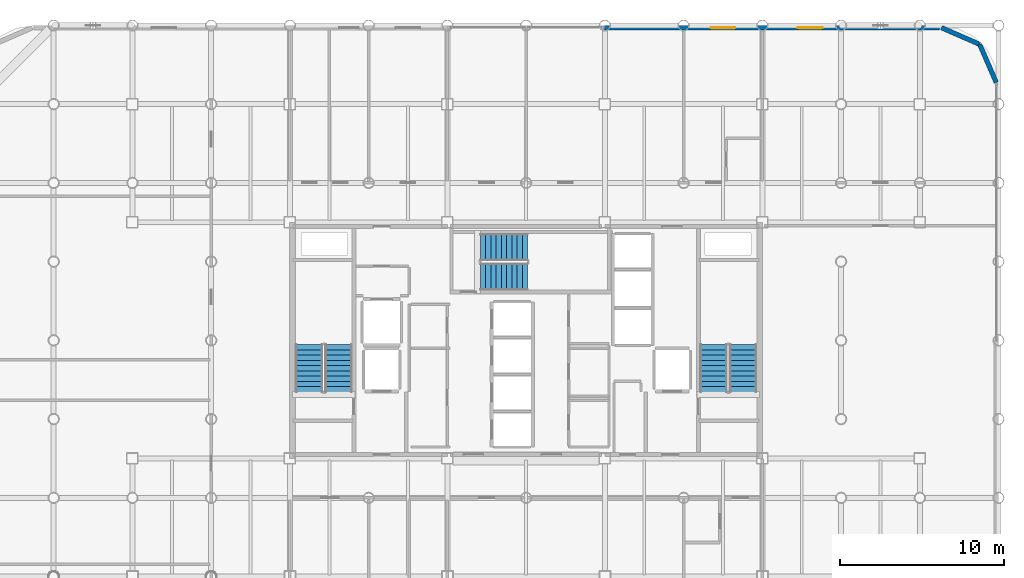
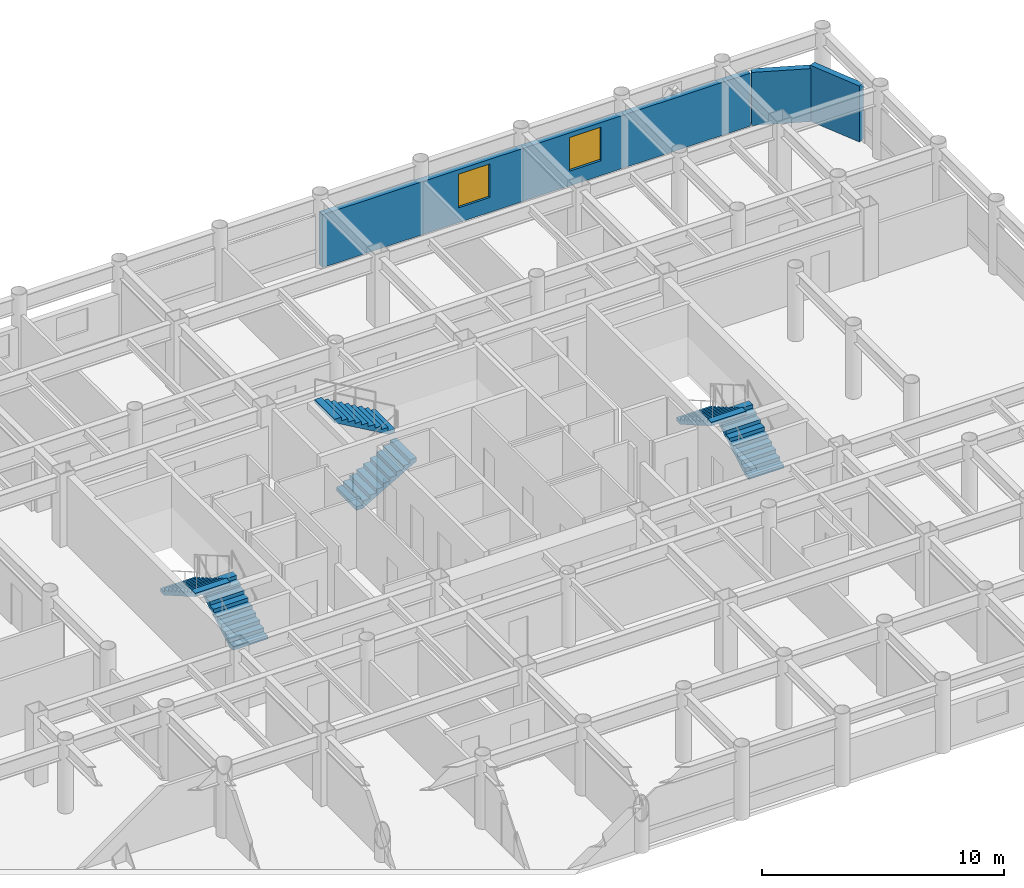
# One storey, part 19 of 20: 6 stair flights, 3 walls, 2 windows, 2 openings, 3 elements without a shape of their own.
"""IFC4 building model written with IfcOpenShell, lengths in metres."""

from ifc_helpers import new_model, si_unit, direction, frame, frame_2d, origin, place, context, subcontext, project, spatial, polyline, rectangle, outline, extrude, material, layer, layer_set, type_object, element, fill, aggregate, save


model = new_model("IFC4")

# Units and contexts
model_context = context("Model", 3, precision=1e-05, world=origin(), true_north=direction((0.0, 1.0)))
body_context = subcontext(model_context, "Body", "Model", "MODEL_VIEW")
ifc_project = project(units=[si_unit("LENGTHUNIT", "METRE"), si_unit("AREAUNIT", "SQUARE_METRE"), si_unit("VOLUMEUNIT", "CUBIC_METRE"), si_unit("PLANEANGLEUNIT", "RADIAN"), si_unit("MASSUNIT", "GRAM", prefix="KILO")], contexts=[model_context])

# Site, building, storey
site_placement = place(None, origin())
site = spatial("IfcSite", under=ifc_project, at=site_placement, CompositionType="ELEMENT")
building_placement = place(site_placement, origin())
building = spatial("IfcBuilding", under=site, at=building_placement, Name="Kallvorn Hotel Tower", CompositionType="ELEMENT")
storey_placement = place(building_placement, frame((0.0, 0.0, 176.60009765625)))
storey = spatial("IfcBuildingStorey", under=building, at=storey_placement, Name="L44", CompositionType="ELEMENT", Elevation=176.60009765625)

# Walls
ifc_material_1 = material(Name="Precast basalt-clad insulated concrete wall C40/50", Category="masonry")
ifc_layer = layer(ifc_material_1, 0.280029296875)
ifc_layer_set = layer_set([ifc_layer], Name="WL_EXT_LOGGIA_280")
wall_type = type_object("IfcWallType", Name="WL_EXT_LOGGIA_280", PredefinedType="SOLIDWALL", material=ifc_layer_set)
wall_1_placement = place(storey_placement, frame((28.657958984375, 15.720703125, 0.0), z_axis=(0.0, 0.0, 1.0), x_axis=(-0.398792985289, 0.917040977756, 0.0)))
element("IfcWall", 1, at=wall_1_placement, inside=storey, type_object=wall_type, Name="L44 Rounded Corner Exterior Wall NE1", PredefinedType="SOLIDWALL", context=body_context, shape_type="SweptSolid", body=[
    extrude(rectangle(XDim=2.536376953125, YDim=0.280029296875, at=frame_2d((1.26806640625, 0.0))), origin(), (0.0, 0.0, 1.0), 2.829833984375),
])
wall_2_placement = place(storey_placement, frame((27.646484375, 18.046630859375, 0.0), z_axis=(0.0, 0.0, 1.0), x_axis=(-0.917060872934, 0.398747232384, 0.0)))
element("IfcWall", 2, at=wall_2_placement, inside=storey, type_object=wall_type, Name="L44 Rounded Corner Exterior Wall NE2", PredefinedType="SOLIDWALL", context=body_context, shape_type="SweptSolid", body=[
    extrude(rectangle(XDim=2.5361328125, YDim=0.280029296875, at=frame_2d((1.26806640625, 0.0))), origin(), (0.0, 0.0, 1.0), 2.679931640625),
])

# Wall, openings, windows
wall_3_placement = place(storey_placement, frame((4.75, 19.06005859375, 0.0), z_axis=(0.0, 0.0, 1.0), x_axis=(1.0, 0.0, 0.0)))
wall_3 = element("IfcWall", 3, at=wall_3_placement, inside=storey, type_object=wall_type, Name="L44 Exterior Envelope Wall EW-L44-NE", PredefinedType="SOLIDWALL", context=body_context, shape_type="SweptSolid", body=[
    extrude(rectangle(XDim=20.449951171875, YDim=0.280029296875, at=frame_2d((10.22509765625, 0.0))), origin(), (0.0, 0.0, 1.0), 2.679931640625),
])
opening_1_placement = place(wall_3_placement, frame((11.81689453125, 0.0, 0.75)))
opening_1 = element("IfcOpeningElement", 4, at=opening_1_placement, cuts=wall_3, Name="Opening W05", PredefinedType="OPENING", context=body_context, shape_type="SweptSolid", body=[
    extrude(rectangle(XDim=1.5, YDim=1.699951171875, at=frame_2d((0.75, 0.85009765625))), frame((0.0, 0.155029296875, 0.0), z_axis=(0.0, -1.0, 0.0), x_axis=(1.0, 0.0, 0.0)), (0.0, 0.0, 1.0), 0.31005859375),
])
opening_2_placement = place(wall_3_placement, frame((6.5, 0.0, 0.75)))
opening_2 = element("IfcOpeningElement", 5, at=opening_2_placement, cuts=wall_3, Name="Opening W05", PredefinedType="OPENING", context=body_context, shape_type="SweptSolid", body=[
    extrude(rectangle(XDim=1.5, YDim=1.699951171875, at=frame_2d((0.75, 0.85009765625))), frame((0.0, 0.155029296875, 0.0), z_axis=(0.0, -1.0, 0.0), x_axis=(1.0, 0.0, 0.0)), (0.0, 0.0, 1.0), 0.31005859375),
])
ifc_material_2 = material(Name="Double-glazed low-e solar-control dark glass", Category="glass")
window_type = type_object("IfcWindowType", Name="WN_HTL_1500x1700", PartitioningType="SINGLE_PANEL", PredefinedType="WINDOW", material=ifc_material_2)
window_1_placement = place(opening_1_placement, origin())
window_1 = element("IfcWindow", 6, at=window_1_placement, inside=storey, type_object=window_type, Name="L44 Guestroom Exterior Window 04", OverallHeight=1.699951171875, OverallWidth=1.5, PartitioningType="SINGLE_PANEL", PredefinedType="WINDOW", context=body_context, shape_type="SweptSolid", body=[
    extrude(rectangle(XDim=1.5, YDim=1.699951171875, at=frame_2d((0.75, 0.85009765625))), frame((0.0, 0.030029296875, 0.0), z_axis=(0.0, -1.0, 0.0), x_axis=(1.0, 0.0, 0.0)), (0.0, 0.0, 1.0), 0.06005859375),
])
fill(opening_1, window_1)
window_2_placement = place(opening_2_placement, origin())
window_2 = element("IfcWindow", 7, at=window_2_placement, inside=storey, type_object=window_type, Name="L44 Guestroom Exterior Window 11", OverallHeight=1.699951171875, OverallWidth=1.5, PartitioningType="SINGLE_PANEL", PredefinedType="WINDOW", context=body_context, shape_type="SweptSolid", body=[
    extrude(rectangle(XDim=1.5, YDim=1.699951171875, at=frame_2d((0.75, 0.85009765625))), frame((0.0, 0.030029296875, 0.0), z_axis=(0.0, -1.0, 0.0), x_axis=(1.0, 0.0, 0.0)), (0.0, 0.0, 1.0), 0.06005859375),
])
fill(opening_2, window_2)

# Stair, stair flights
ifc_material_3 = material(Name="Precast concrete C40/50", Category="concrete")
stair_type = type_object("IfcStairType", Name="STR_CORE_DOGLEG", PredefinedType="HALF_TURN_STAIR", material=ifc_material_3)
stair_1_placement = place(storey_placement, origin())
stair_1 = element("IfcStair", 8, at=stair_1_placement, inside=storey, type_object=stair_type, Name="L44 Exit stair ST1", PredefinedType="HALF_TURN_STAIR")
ifc_material_4 = material(Name="Precast concrete C40/50", Category="concrete")
stair_flight_type = type_object("IfcStairFlightType", Name="FLT_CORE_1660", PredefinedType="STRAIGHT", material=ifc_material_4)
stair_flight_1_placement = place(storey_placement, frame((-11.429931640625, -3.139892578125, 0.0), z_axis=(0.0, 0.0, 1.0), x_axis=(0.0, 1.0, 0.0)))
stair_flight_1 = element("IfcStairFlight", 9, at=stair_flight_1_placement, type_object=stair_flight_type, Name="ST1 flight 1", NumberOfRisers=10, NumberOfTreads=9, PredefinedType="STRAIGHT", RiserHeight=0.185, TreadLength=0.32, context=body_context, shape_type="SweptSolid", body=[
    extrude(outline(polyline([(0.0, 0.0), (0.0, 0.18505859375), (0.320068359375, 0.18505859375), (0.320068359375, 0.3701171875), (0.639892578125, 0.3701171875), (0.639892578125, 0.554931640625), (0.9599609375, 0.554931640625), (0.9599609375, 0.739990234375), (1.280029296875, 0.739990234375), (1.280029296875, 0.925048828125), (1.60009765625, 0.925048828125), (1.60009765625, 1.110107421875), (1.919921875, 1.110107421875), (1.919921875, 1.294921875), (2.239990234375, 1.294921875), (2.239990234375, 1.47998046875), (2.56005859375, 1.47998046875), (2.56005859375, 1.6650390625), (2.8798828125, 1.6650390625), (2.8798828125, 1.85009765625), (2.8798828125, 1.491943359375), (0.299560546875, 0.0), (0.0, 0.0)])), frame((0.0, 0.830078125, 0.0), z_axis=(0.0, -1.0, 0.0), x_axis=(1.0, 0.0, 0.0)), (0.0, 0.0, 1.0), 1.659912109375),
])
stair_flight_2_placement = place(storey_placement, frame((-13.22998046875, -0.260009765625, 1.849853515625), z_axis=(0.0, 0.0, 1.0), x_axis=(0.0, -1.0, 0.0)))
stair_flight_2 = element("IfcStairFlight", 10, at=stair_flight_2_placement, type_object=stair_flight_type, Name="ST1 flight 2", NumberOfRisers=10, NumberOfTreads=9, PredefinedType="STRAIGHT", RiserHeight=0.185, TreadLength=0.32, context=body_context, shape_type="SweptSolid", body=[
    extrude(outline(polyline([(0.0, 0.0), (0.0, 0.18505859375), (0.320068359375, 0.18505859375), (0.320068359375, 0.3701171875), (0.639892578125, 0.3701171875), (0.639892578125, 0.554931640625), (0.9599609375, 0.554931640625), (0.9599609375, 0.739990234375), (1.280029296875, 0.739990234375), (1.280029296875, 0.925048828125), (1.60009765625, 0.925048828125), (1.60009765625, 1.110107421875), (1.919921875, 1.110107421875), (1.919921875, 1.294921875), (2.239990234375, 1.294921875), (2.239990234375, 1.47998046875), (2.56005859375, 1.47998046875), (2.56005859375, 1.6650390625), (2.8798828125, 1.6650390625), (2.8798828125, 1.85009765625), (2.8798828125, 1.491943359375), (0.299560546875, 0.0), (0.0, 0.0)])), frame((0.0, 0.830078125, 0.0), z_axis=(0.0, -1.0, 0.0), x_axis=(1.0, 0.0, 0.0)), (0.0, 0.0, 1.0), 1.659912109375),
])
aggregate(stair_1, [stair_flight_1, stair_flight_2])

stair_2_placement = place(storey_placement, origin())
stair_2 = element("IfcStair", 11, at=stair_2_placement, inside=storey, type_object=stair_type, Name="L44 Exit stair ST2", PredefinedType="HALF_TURN_STAIR")
stair_flight_3_placement = place(storey_placement, frame((13.22998046875, -3.139892578125, 0.0), z_axis=(0.0, 0.0, 1.0), x_axis=(0.0, 1.0, 0.0)))
stair_flight_3 = element("IfcStairFlight", 12, at=stair_flight_3_placement, type_object=stair_flight_type, Name="ST2 flight 1", NumberOfRisers=10, NumberOfTreads=9, PredefinedType="STRAIGHT", RiserHeight=0.185, TreadLength=0.32, context=body_context, shape_type="SweptSolid", body=[
    extrude(outline(polyline([(0.0, 0.0), (0.0, 0.18505859375), (0.320068359375, 0.18505859375), (0.320068359375, 0.3701171875), (0.639892578125, 0.3701171875), (0.639892578125, 0.554931640625), (0.9599609375, 0.554931640625), (0.9599609375, 0.739990234375), (1.280029296875, 0.739990234375), (1.280029296875, 0.925048828125), (1.60009765625, 0.925048828125), (1.60009765625, 1.110107421875), (1.919921875, 1.110107421875), (1.919921875, 1.294921875), (2.239990234375, 1.294921875), (2.239990234375, 1.47998046875), (2.56005859375, 1.47998046875), (2.56005859375, 1.6650390625), (2.8798828125, 1.6650390625), (2.8798828125, 1.85009765625), (2.8798828125, 1.491943359375), (0.299560546875, 0.0), (0.0, 0.0)])), frame((0.0, 0.830078125, 0.0), z_axis=(0.0, -1.0, 0.0), x_axis=(1.0, 0.0, 0.0)), (0.0, 0.0, 1.0), 1.659912109375),
])
stair_flight_4_placement = place(storey_placement, frame((11.429931640625, -0.260009765625, 1.849853515625), z_axis=(0.0, 0.0, 1.0), x_axis=(0.0, -1.0, 0.0)))
stair_flight_4 = element("IfcStairFlight", 13, at=stair_flight_4_placement, type_object=stair_flight_type, Name="ST2 flight 2", NumberOfRisers=10, NumberOfTreads=9, PredefinedType="STRAIGHT", RiserHeight=0.185, TreadLength=0.32, context=body_context, shape_type="SweptSolid", body=[
    extrude(outline(polyline([(0.0, 0.0), (0.0, 0.18505859375), (0.320068359375, 0.18505859375), (0.320068359375, 0.3701171875), (0.639892578125, 0.3701171875), (0.639892578125, 0.554931640625), (0.9599609375, 0.554931640625), (0.9599609375, 0.739990234375), (1.280029296875, 0.739990234375), (1.280029296875, 0.925048828125), (1.60009765625, 0.925048828125), (1.60009765625, 1.110107421875), (1.919921875, 1.110107421875), (1.919921875, 1.294921875), (2.239990234375, 1.294921875), (2.239990234375, 1.47998046875), (2.56005859375, 1.47998046875), (2.56005859375, 1.6650390625), (2.8798828125, 1.6650390625), (2.8798828125, 1.85009765625), (2.8798828125, 1.491943359375), (0.299560546875, 0.0), (0.0, 0.0)])), frame((0.0, 0.830078125, 0.0), z_axis=(0.0, -1.0, 0.0), x_axis=(1.0, 0.0, 0.0)), (0.0, 0.0, 1.0), 1.659912109375),
])
aggregate(stair_2, [stair_flight_3, stair_flight_4])

stair_3_placement = place(storey_placement, origin())
stair_3 = element("IfcStair", 14, at=stair_3_placement, inside=storey, type_object=stair_type, Name="L44 Exit stair ST3", PredefinedType="HALF_TURN_STAIR")
stair_flight_5_placement = place(storey_placement, frame((-2.7900390625, 3.8798828125, 0.0), z_axis=(0.0, 0.0, 1.0), x_axis=(1.0, 0.0, 0.0)))
stair_flight_5 = element("IfcStairFlight", 15, at=stair_flight_5_placement, type_object=stair_flight_type, Name="ST3 flight 1", NumberOfRisers=10, NumberOfTreads=9, PredefinedType="STRAIGHT", RiserHeight=0.185, TreadLength=0.32, context=body_context, shape_type="SweptSolid", body=[
    extrude(outline(polyline([(0.0, 0.0), (0.0, 0.18505859375), (0.320068359375, 0.18505859375), (0.320068359375, 0.3701171875), (0.639892578125, 0.3701171875), (0.639892578125, 0.554931640625), (0.9599609375, 0.554931640625), (0.9599609375, 0.739990234375), (1.280029296875, 0.739990234375), (1.280029296875, 0.925048828125), (1.60009765625, 0.925048828125), (1.60009765625, 1.110107421875), (1.919921875, 1.110107421875), (1.919921875, 1.294921875), (2.239990234375, 1.294921875), (2.239990234375, 1.47998046875), (2.56005859375, 1.47998046875), (2.56005859375, 1.6650390625), (2.8798828125, 1.6650390625), (2.8798828125, 1.85009765625), (2.8798828125, 1.491943359375), (0.299560546875, 0.0), (0.0, 0.0)])), frame((0.0, 0.830078125, 0.0), z_axis=(0.0, -1.0, 0.0), x_axis=(1.0, 0.0, 0.0)), (0.0, 0.0, 1.0), 1.659912109375),
])
stair_flight_6_placement = place(storey_placement, frame((0.090087890625, 5.679931640625, 1.849853515625), z_axis=(0.0, 0.0, 1.0), x_axis=(-1.0, 0.0, 0.0)))
stair_flight_6 = element("IfcStairFlight", 16, at=stair_flight_6_placement, type_object=stair_flight_type, Name="ST3 flight 2", NumberOfRisers=10, NumberOfTreads=9, PredefinedType="STRAIGHT", RiserHeight=0.185, TreadLength=0.32, context=body_context, shape_type="SweptSolid", body=[
    extrude(outline(polyline([(0.0, 0.0), (0.0, 0.18505859375), (0.320068359375, 0.18505859375), (0.320068359375, 0.3701171875), (0.639892578125, 0.3701171875), (0.639892578125, 0.554931640625), (0.9599609375, 0.554931640625), (0.9599609375, 0.739990234375), (1.280029296875, 0.739990234375), (1.280029296875, 0.925048828125), (1.60009765625, 0.925048828125), (1.60009765625, 1.110107421875), (1.919921875, 1.110107421875), (1.919921875, 1.294921875), (2.239990234375, 1.294921875), (2.239990234375, 1.47998046875), (2.56005859375, 1.47998046875), (2.56005859375, 1.6650390625), (2.8798828125, 1.6650390625), (2.8798828125, 1.85009765625), (2.8798828125, 1.491943359375), (0.299560546875, 0.0), (0.0, 0.0)])), frame((0.0, 0.830078125, 0.0), z_axis=(0.0, -1.0, 0.0), x_axis=(1.0, 0.0, 0.0)), (0.0, 0.0, 1.0), 1.659912109375),
])
aggregate(stair_3, [stair_flight_5, stair_flight_6])

save(model, "model.ifc")
